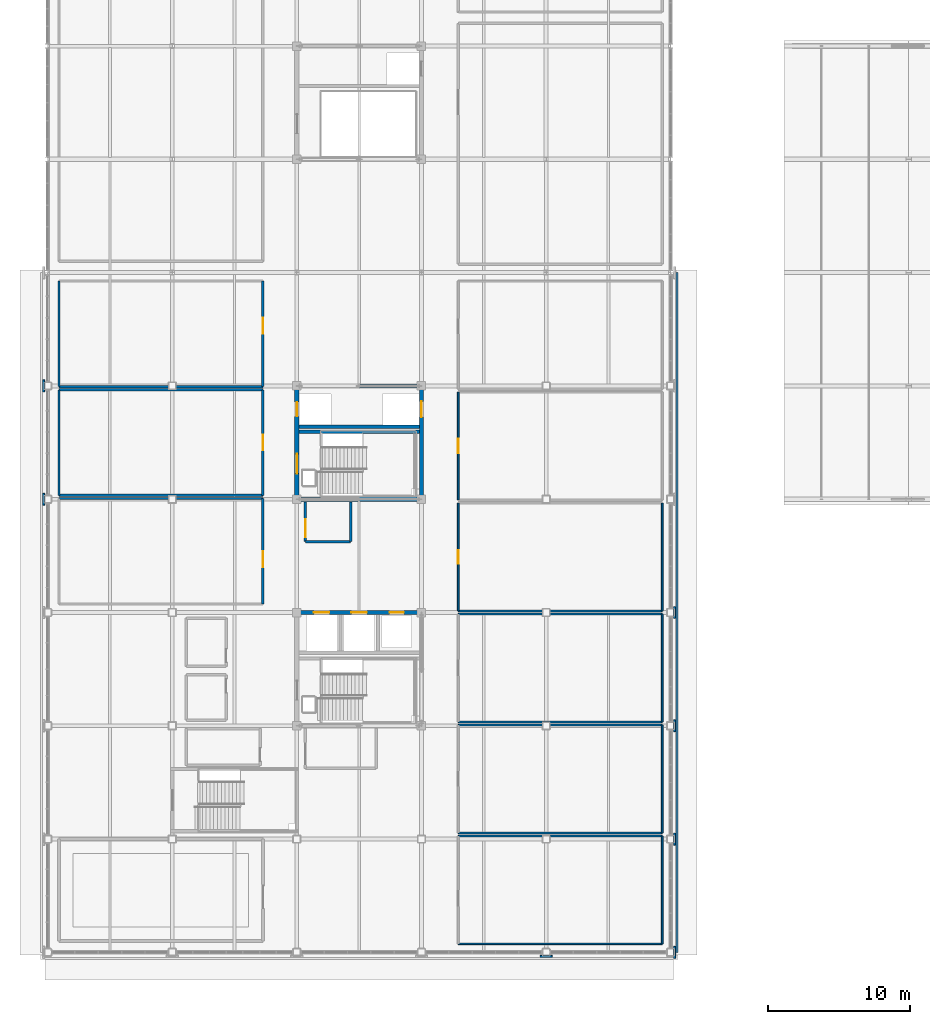
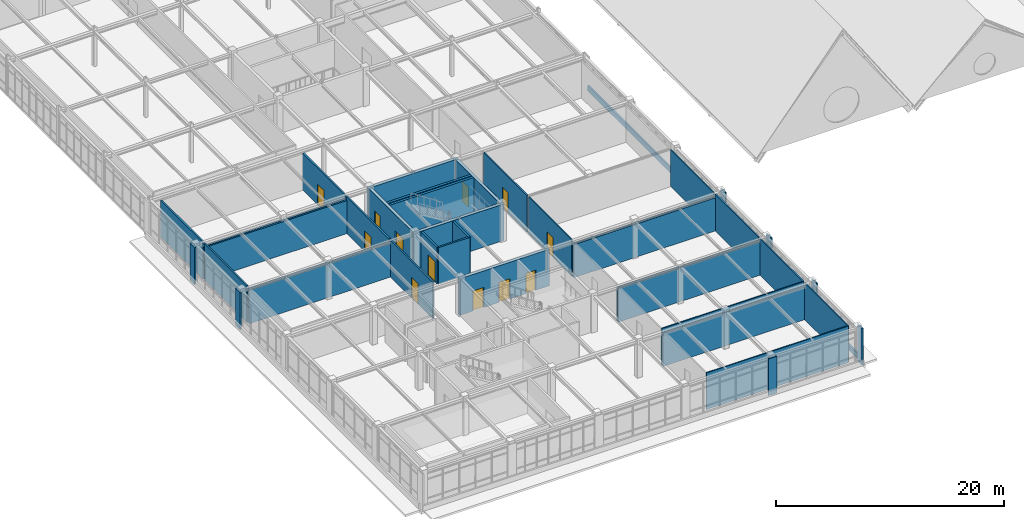
# One storey, part 54 of 64: 40 walls, 12 doors, 12 openings.
"""IFC4 building model written with IfcOpenShell, lengths in metres."""

from ifc_helpers import new_model, si_unit, direction, frame, frame_2d, origin, place, context, subcontext, project, spatial, rectangle, extrude, material, layer, layer_set, type_object, element, fill, save


model = new_model("IFC4")

# Units and contexts
model_context = context("Model", 3, precision=1e-05, world=origin(), true_north=direction((0.0, 1.0)))
body_context = subcontext(model_context, "Body", "Model", "MODEL_VIEW")
ifc_project = project(units=[si_unit("LENGTHUNIT", "METRE"), si_unit("AREAUNIT", "SQUARE_METRE"), si_unit("VOLUMEUNIT", "CUBIC_METRE"), si_unit("PLANEANGLEUNIT", "RADIAN"), si_unit("MASSUNIT", "GRAM", prefix="KILO")], contexts=[model_context])

# Site, building, storey
site_placement = place(None, origin())
site = spatial("IfcSite", under=ifc_project, at=site_placement, CompositionType="ELEMENT")
building_placement = place(site_placement, origin())
building = spatial("IfcBuilding", under=site, at=building_placement, Name="Zhaolan Boulevard Law Courts", CompositionType="ELEMENT")
storey_placement = place(building_placement, frame((0.0, 0.0, 20.39990234375)))
storey = spatial("IfcBuildingStorey", under=building, at=storey_placement, Name="L04", CompositionType="ELEMENT", Elevation=20.39990234375)

# Wall, openings, doors
ifc_material_1 = material(Name="Concrete C50", Category="concrete")
ifc_layer_1 = layer(ifc_material_1, 0.300048828125)
ifc_layer_set_1 = layer_set([ifc_layer_1])
wall_type_1 = type_object("IfcWallType", Name="CORE SHEAR WALL 300", PredefinedType="SHEAR", material=ifc_layer_set_1)
wall_1_placement = place(storey_placement, frame((26.550048828125, 54.0, 0.0), z_axis=(0.0, 0.0, 1.0), x_axis=(-1.0, 0.0, 0.0)))
wall_1 = element("IfcWall", 1, at=wall_1_placement, inside=storey, type_object=wall_type_1, Name="Core Shear Wall CW-W1-L04N", PredefinedType="SHEAR", context=body_context, shape_type="SweptSolid", body=[
    extrude(rectangle(XDim=9.10009765625, YDim=0.300048828125, at=frame_2d((4.550048828125, 0.0))), origin(), (0.0, 0.0, 1.0), 3.920166015625),
])
opening_1_placement = place(wall_1_placement, frame((6.64990234375, 0.0, 0.0)))
opening_1 = element("IfcOpeningElement", 2, at=opening_1_placement, cuts=wall_1, Name="Opening LD-FL-01-L04", PredefinedType="OPENING", context=body_context, shape_type="SweptSolid", body=[
    extrude(rectangle(XDim=1.10009765625, YDim=2.14990234375, at=frame_2d((0.550048828125, 1.074951171875))), frame((0.0, 0.159912109375, 0.0), z_axis=(0.0, -1.0, 0.0), x_axis=(1.0, 0.0, 0.0)), (0.0, 0.0, 1.0), 0.320068359375),
])
opening_2_placement = place(wall_1_placement, frame((4.0, 0.0, 0.0)))
opening_2 = element("IfcOpeningElement", 3, at=opening_2_placement, cuts=wall_1, Name="Opening LD-FL-02-L04", PredefinedType="OPENING", context=body_context, shape_type="SweptSolid", body=[
    extrude(rectangle(XDim=1.10009765625, YDim=2.14990234375, at=frame_2d((0.550048828125, 1.074951171875))), frame((0.0, 0.159912109375, 0.0), z_axis=(0.0, -1.0, 0.0), x_axis=(1.0, 0.0, 0.0)), (0.0, 0.0, 1.0), 0.320068359375),
])
opening_3_placement = place(wall_1_placement, frame((1.39990234375, 0.0, 0.0)))
opening_3 = element("IfcOpeningElement", 4, at=opening_3_placement, cuts=wall_1, Name="Opening LD-JL-01-L04", PredefinedType="OPENING", context=body_context, shape_type="SweptSolid", body=[
    extrude(rectangle(XDim=1.0, YDim=2.14990234375, at=frame_2d((0.5, 1.074951171875))), frame((0.0, 0.159912109375, 0.0), z_axis=(0.0, -1.0, 0.0), x_axis=(1.0, 0.0, 0.0)), (0.0, 0.0, 1.0), 0.320068359375),
])
ifc_material_2 = material(Name="Stainless steel sliding landing door", Category="steel")
door_type_1 = type_object("IfcDoorType", Name="LIFT LANDING 1000X2150", OperationType="DOUBLE_DOOR_SLIDING", PredefinedType="DOOR", material=ifc_material_2)
door_1_placement = place(opening_3_placement, origin())
door_1 = element("IfcDoor", 5, at=door_1_placement, inside=storey, type_object=door_type_1, Name="Lift Landing Sliding Door LD-JL-01-L04", OperationType="DOUBLE_DOOR_SLIDING", OverallHeight=2.14990234375, OverallWidth=1.0, PredefinedType="DOOR", context=body_context, shape_type="SweptSolid", body=[
    extrude(rectangle(XDim=1.0, YDim=2.14990234375, at=frame_2d((0.5, 1.074951171875))), frame((0.0, 0.02490234375, 0.0), z_axis=(0.0, -1.0, 0.0), x_axis=(1.0, 0.0, 0.0)), (0.0, 0.0, 1.0), 0.050048828125),
])
fill(opening_3, door_1)
ifc_material_3 = material(Name="Stainless steel sliding landing door", Category="steel")
door_type_2 = type_object("IfcDoorType", Name="LIFT LANDING 1100X2150", OperationType="DOUBLE_DOOR_SLIDING", PredefinedType="DOOR", material=ifc_material_3)
door_2_placement = place(opening_1_placement, origin())
door_2 = element("IfcDoor", 6, at=door_2_placement, inside=storey, type_object=door_type_2, Name="Lift Landing Sliding Door LD-FL-01-L04", OperationType="DOUBLE_DOOR_SLIDING", OverallHeight=2.14990234375, OverallWidth=1.10009765625, PredefinedType="DOOR", context=body_context, shape_type="SweptSolid", body=[
    extrude(rectangle(XDim=1.10009765625, YDim=2.14990234375, at=frame_2d((0.550048828125, 1.074951171875))), frame((0.0, 0.02490234375, 0.0), z_axis=(0.0, -1.0, 0.0), x_axis=(1.0, 0.0, 0.0)), (0.0, 0.0, 1.0), 0.050048828125),
])
fill(opening_1, door_2)
door_3_placement = place(opening_2_placement, origin())
door_3 = element("IfcDoor", 7, at=door_3_placement, inside=storey, type_object=door_type_2, Name="Lift Landing Sliding Door LD-FL-02-L04", OperationType="DOUBLE_DOOR_SLIDING", OverallHeight=2.14990234375, OverallWidth=1.10009765625, PredefinedType="DOOR", context=body_context, shape_type="SweptSolid", body=[
    extrude(rectangle(XDim=1.10009765625, YDim=2.14990234375, at=frame_2d((0.550048828125, 1.074951171875))), frame((0.0, 0.02490234375, 0.0), z_axis=(0.0, -1.0, 0.0), x_axis=(1.0, 0.0, 0.0)), (0.0, 0.0, 1.0), 0.050048828125),
])
fill(opening_2, door_3)

# Walls
for number, where, z_axis, x_axis, name in (
    (8, (17.449951171875, 62.0, 0.0), (0.0, 0.0, 1.0), (1.0, 0.0, 0.0), "Core Shear Wall CW-W2-L04S"),
    (9, (26.550048828125, 70.0, 0.0), (0.0, 0.0, 1.0), (-1.0, 0.0, 0.0), "Core Shear Wall CW-W2-L04N"),
):
    element("IfcWall", number, at=place(storey_placement, frame(where, z_axis=z_axis, x_axis=x_axis)), inside=storey, type_object=wall_type_1, Name=name, PredefinedType="SHEAR", context=body_context, shape_type="SweptSolid", body=[
        extrude(rectangle(XDim=9.10009765625, YDim=0.300048828125, at=frame_2d((4.550048828125, 0.0))), origin(), (0.0, 0.0, 1.0), 3.920166015625),
    ])

# Wall, openings, doors
wall_2_placement = place(storey_placement, frame((17.60009765625, 62.14990234375, 0.0), z_axis=(0.0, 0.0, 1.0), x_axis=(0.0, 1.0, 0.0)))
wall_2 = element("IfcWall", 10, at=wall_2_placement, inside=storey, type_object=wall_type_1, Name="Core Shear Wall CW-W2-L04W", PredefinedType="SHEAR", context=body_context, shape_type="SweptSolid", body=[
    extrude(rectangle(XDim=7.7001953125, YDim=0.300048828125, at=frame_2d((3.85009765625, 0.0))), origin(), (0.0, 0.0, 1.0), 3.920166015625),
])
opening_4_placement = place(wall_2_placement, frame((1.64990234375, 0.0, 0.0)))
opening_4 = element("IfcOpeningElement", 11, at=opening_4_placement, cuts=wall_2, Name="Opening SD-L04-17", PredefinedType="OPENING", context=body_context, shape_type="SweptSolid", body=[
    extrude(rectangle(XDim=1.39990234375, YDim=2.199951171875, at=frame_2d((0.699951171875, 1.10009765625))), frame((0.0, 0.159912109375, 0.0), z_axis=(0.0, -1.0, 0.0), x_axis=(1.0, 0.0, 0.0)), (0.0, 0.0, 1.0), 0.320068359375),
])
opening_5_placement = place(wall_2_placement, frame((5.699951171875, 0.0, 0.0)))
opening_5 = element("IfcOpeningElement", 12, at=opening_5_placement, cuts=wall_2, Name="Opening LD-JL-02-L04", PredefinedType="OPENING", context=body_context, shape_type="SweptSolid", body=[
    extrude(rectangle(XDim=1.0, YDim=2.14990234375, at=frame_2d((0.5, 1.074951171875))), frame((0.0, 0.159912109375, 0.0), z_axis=(0.0, -1.0, 0.0), x_axis=(1.0, 0.0, 0.0)), (0.0, 0.0, 1.0), 0.320068359375),
])
door_4_placement = place(opening_5_placement, origin())
door_4 = element("IfcDoor", 13, at=door_4_placement, inside=storey, type_object=door_type_1, Name="Lift Landing Sliding Door LD-JL-02-L04", OperationType="DOUBLE_DOOR_SLIDING", OverallHeight=2.14990234375, OverallWidth=1.0, PredefinedType="DOOR", context=body_context, shape_type="SweptSolid", body=[
    extrude(rectangle(XDim=1.0, YDim=2.14990234375, at=frame_2d((0.5, 1.074951171875))), frame((0.0, 0.02490234375, 0.0), z_axis=(0.0, -1.0, 0.0), x_axis=(1.0, 0.0, 0.0)), (0.0, 0.0, 1.0), 0.050048828125),
])
fill(opening_5, door_4)
ifc_material_4 = material(Name="Fire-rated steel acoustic door", Category="steel")
door_type_3 = type_object("IfcDoorType", Name="STAIR FIRE 1400X2200 L", OperationType="SINGLE_SWING_LEFT", PredefinedType="DOOR", material=ifc_material_4)
door_5_placement = place(opening_4_placement, origin())
door_5 = element("IfcDoor", 14, at=door_5_placement, inside=storey, type_object=door_type_3, Name="Smoke-Proof Stairwell Fire Door SD-L04-17", OperationType="SINGLE_SWING_LEFT", OverallHeight=2.199951171875, OverallWidth=1.39990234375, PredefinedType="DOOR", context=body_context, shape_type="SweptSolid", body=[
    extrude(rectangle(XDim=1.39990234375, YDim=2.199951171875, at=frame_2d((0.699951171875, 1.10009765625))), frame((0.0, 0.02490234375, 0.0), z_axis=(0.0, -1.0, 0.0), x_axis=(1.0, 0.0, 0.0)), (0.0, 0.0, 1.0), 0.050048828125),
])
fill(opening_4, door_5)

# Wall, opening, door
wall_3_placement = place(storey_placement, frame((26.39990234375, 62.14990234375, 0.0), z_axis=(0.0, 0.0, 1.0), x_axis=(0.0, 1.0, 0.0)))
wall_3 = element("IfcWall", 15, at=wall_3_placement, inside=storey, type_object=wall_type_1, Name="Core Shear Wall CW-W2-L04E", PredefinedType="SHEAR", context=body_context, shape_type="SweptSolid", body=[
    extrude(rectangle(XDim=7.7001953125, YDim=0.300048828125, at=frame_2d((3.85009765625, 0.0))), origin(), (0.0, 0.0, 1.0), 3.920166015625),
])
opening_6_placement = place(wall_3_placement, frame((5.64990234375, 0.0, 0.0)))
opening_6 = element("IfcOpeningElement", 16, at=opening_6_placement, cuts=wall_3, Name="Opening LD-FL-03-L04", PredefinedType="OPENING", context=body_context, shape_type="SweptSolid", body=[
    extrude(rectangle(XDim=1.10009765625, YDim=2.14990234375, at=frame_2d((0.550048828125, 1.074951171875))), frame((0.0, 0.159912109375, 0.0), z_axis=(0.0, -1.0, 0.0), x_axis=(1.0, 0.0, 0.0)), (0.0, 0.0, 1.0), 0.320068359375),
])
door_6_placement = place(opening_6_placement, origin())
door_6 = element("IfcDoor", 17, at=door_6_placement, inside=storey, type_object=door_type_2, Name="Lift Landing Sliding Door LD-FL-03-L04", OperationType="DOUBLE_DOOR_SLIDING", OverallHeight=2.14990234375, OverallWidth=1.10009765625, PredefinedType="DOOR", context=body_context, shape_type="SweptSolid", body=[
    extrude(rectangle(XDim=1.10009765625, YDim=2.14990234375, at=frame_2d((0.550048828125, 1.074951171875))), frame((0.0, 0.02490234375, 0.0), z_axis=(0.0, -1.0, 0.0), x_axis=(1.0, 0.0, 0.0)), (0.0, 0.0, 1.0), 0.050048828125),
])
fill(opening_6, door_6)

# Walls
ifc_material_5 = material(Name="Concrete C40", Category="concrete")
ifc_layer_2 = layer(ifc_material_5, 0.139892578125)
ifc_layer_set_2 = layer_set([ifc_layer_2])
wall_type_2 = type_object("IfcWallType", Name="EXT WALL ARCH CLAD140", PredefinedType="SOLIDWALL", material=ifc_layer_set_2)
for number, where, z_axis, x_axis, name in (
    (18, (44.280029296875, 29.580078125, 0.0), (0.0, 0.0, 1.0), (0.0, 1.0, 0.0), "Concrete Column Cloak Pier CPR-100"),
    (19, (44.280029296875, 37.580078125, 0.0), (0.0, 0.0, 1.0), (0.0, 1.0, 0.0), "Concrete Column Cloak Pier CPR-102"),
    (20, (44.280029296875, 45.580078125, 0.0), (0.0, 0.0, 1.0), (0.0, 1.0, 0.0), "Concrete Column Cloak Pier CPR-104"),
    (21, (44.280029296875, 53.580078125, 0.0), (0.0, 0.0, 1.0), (0.0, 1.0, 0.0), "Concrete Column Cloak Pier CPR-106"),
    (22, (-0.280029296875, 61.580078125, 0.0), (0.0, 0.0, 1.0), (0.0, 1.0, 0.0), "Concrete Column Cloak Pier CPR-107"),
    (23, (-0.280029296875, 69.580078125, 0.0), (0.0, 0.0, 1.0), (0.0, 1.0, 0.0), "Concrete Column Cloak Pier CPR-109"),
):
    element("IfcWall", number, at=place(storey_placement, frame(where, z_axis=z_axis, x_axis=x_axis)), inside=storey, type_object=wall_type_2, Name=name, PredefinedType="SOLIDWALL", context=body_context, shape_type="SweptSolid", body=[
        extrude(rectangle(XDim=0.83984375, YDim=0.139892578125, at=frame_2d((0.419921875, 0.0))), origin(), (0.0, 0.0, 1.0), 3.940185546875),
    ])
wall_4_placement = place(storey_placement, frame((34.780029296875, 29.719970703125, 0.0), z_axis=(0.0, 0.0, 1.0), x_axis=(1.0, 0.0, 0.0)))
element("IfcWall", 24, at=wall_4_placement, inside=storey, type_object=wall_type_2, Name="Concrete Column Cloak Pier CPR-116", PredefinedType="SOLIDWALL", context=body_context, shape_type="SweptSolid", body=[
    extrude(rectangle(XDim=0.840087890625, YDim=0.139892578125, at=frame_2d((0.419921875, 0.0))), origin(), (0.0, 0.0, 1.0), 3.940185546875),
])
ifc_material_6 = material(Name="Concrete C40", Category="concrete")
ifc_layer_3 = layer(ifc_material_6, 0.159912109375)
ifc_layer_set_3 = layer_set([ifc_layer_3])
wall_type_3 = type_object("IfcWallType", Name="EXT WALL ARCH CLAD160", PredefinedType="SOLIDWALL", material=ifc_layer_set_3)
wall_5_placement = place(storey_placement, frame((44.43994140625, 30.0, 0.0), z_axis=(0.0, 0.0, 1.0), x_axis=(0.0, 1.0, 0.0)))
element("IfcWall", 25, at=wall_5_placement, inside=storey, type_object=wall_type_3, Name="Sculpted Concrete Spandrel Band CBW-097", PredefinedType="SOLIDWALL", context=body_context, shape_type="SweptSolid", body=[
    extrude(rectangle(XDim=48.0, YDim=0.159912109375, at=frame_2d((24.0, 0.0))), origin(), (0.0, 0.0, 1.0), 0.580078125),
])
ifc_material_7 = material(Name="Concrete C50", Category="concrete")
ifc_layer_4 = layer(ifc_material_7, 0.239990234375)
ifc_layer_set_4 = layer_set([ifc_layer_4])
wall_type_4 = type_object("IfcWallType", Name="LIFT SHAFT WALL 240", PredefinedType="SHEAR", material=ifc_layer_set_4)
wall_6_placement = place(storey_placement, frame((17.75, 67.1298828125, 0.0), z_axis=(0.0, 0.0, 1.0), x_axis=(1.0, 0.0, 0.0)))
element("IfcWall", 26, at=wall_6_placement, inside=storey, type_object=wall_type_4, Name="Lift Shaft Enclosure Wall W2 (L04)", PredefinedType="SHEAR", context=body_context, shape_type="SweptSolid", body=[
    extrude(rectangle(XDim=8.5, YDim=0.239990234375, at=frame_2d((4.25, 0.0))), origin(), (0.0, 0.0, 1.0), 3.920166015625),
])
ifc_material_8 = material(Name="Acoustic gypsum and mineral-wool stud")
ifc_layer_5 = layer(ifc_material_8, 0.18994140625)
ifc_layer_set_5 = layer_set([ifc_layer_5])
wall_type_5 = type_object("IfcWallType", Name="PART WALL ACOUST190", PredefinedType="PARTITIONING", material=ifc_layer_set_5)
wall_7_placement = place(storey_placement, frame((18.199951171875, 59.0, 0.0), z_axis=(0.0, 0.0, 1.0), x_axis=(1.0, 0.0, 0.0)))
element("IfcWall", 27, at=wall_7_placement, inside=storey, type_object=wall_type_5, Name="Interior Partition PW-L04-034", PredefinedType="PARTITIONING", context=body_context, shape_type="SweptSolid", body=[
    extrude(rectangle(XDim=3.199951171875, YDim=0.18994140625, at=frame_2d((1.60009765625, 0.0))), origin(), (0.0, 0.0, 1.0), 3.920166015625),
])

# Wall, opening, door
wall_8_placement = place(storey_placement, frame((18.199951171875, 61.800048828125, 0.0), z_axis=(0.0, 0.0, 1.0), x_axis=(0.0, -1.0, 0.0)))
wall_8 = element("IfcWall", 28, at=wall_8_placement, inside=storey, type_object=wall_type_5, Name="Interior Partition PW-L04-035", PredefinedType="PARTITIONING", context=body_context, shape_type="SweptSolid", body=[
    extrude(rectangle(XDim=2.800048828125, YDim=0.18994140625, at=frame_2d((1.39990234375, 0.0))), origin(), (0.0, 0.0, 1.0), 3.920166015625),
])
opening_7_placement = place(wall_8_placement, frame((1.199951171875, 0.0, 0.0)))
opening_7 = element("IfcOpeningElement", 29, at=opening_7_placement, cuts=wall_8, Name="Opening FD-L04-012", PredefinedType="OPENING", context=body_context, shape_type="SweptSolid", body=[
    extrude(rectangle(XDim=1.300048828125, YDim=2.199951171875, at=frame_2d((0.64990234375, 1.10009765625))), frame((0.0, 0.10498046875, 0.0), z_axis=(0.0, -1.0, 0.0), x_axis=(1.0, 0.0, 0.0)), (0.0, 0.0, 1.0), 0.2099609375),
])
ifc_material_9 = material(Name="Fire-rated steel acoustic door", Category="steel")
door_type_4 = type_object("IfcDoorType", Name="LOBBY FIRE 1300X2200 R", OperationType="SINGLE_SWING_RIGHT", PredefinedType="DOOR", material=ifc_material_9)
door_7_placement = place(opening_7_placement, origin())
door_7 = element("IfcDoor", 30, at=door_7_placement, inside=storey, type_object=door_type_4, Name="Door FD-L04-012 (Lobby Firefighting Lift L04-W2)", OperationType="SINGLE_SWING_RIGHT", OverallHeight=2.199951171875, OverallWidth=1.300048828125, PredefinedType="DOOR", context=body_context, shape_type="SweptSolid", body=[
    extrude(rectangle(XDim=1.300048828125, YDim=2.199951171875, at=frame_2d((0.64990234375, 1.10009765625))), frame((0.0, 0.02490234375, 0.0), z_axis=(0.0, -1.0, 0.0), x_axis=(1.0, 0.0, 0.0)), (0.0, 0.0, 1.0), 0.050048828125),
])
fill(opening_7, door_7)

# Walls
wall_9_placement = place(storey_placement, frame((21.39990234375, 59.0, 0.0), z_axis=(0.0, 0.0, 1.0), x_axis=(0.0, 1.0, 0.0)))
element("IfcWall", 31, at=wall_9_placement, inside=storey, type_object=wall_type_5, Name="Interior Partition PW-L04-036", PredefinedType="PARTITIONING", context=body_context, shape_type="SweptSolid", body=[
    extrude(rectangle(XDim=2.800048828125, YDim=0.18994140625, at=frame_2d((1.39990234375, 0.0))), origin(), (0.0, 0.0, 1.0), 3.920166015625),
])
ifc_material_10 = material(Name="Fire-rated gypsum stud partition")
ifc_layer_6 = layer(ifc_material_10, 0.159912109375)
ifc_layer_set_6 = layer_set([ifc_layer_6])
wall_type_6 = type_object("IfcWallType", Name="PART WALL CHAMB160", PredefinedType="PARTITIONING", material=ifc_layer_set_6)
wall_10_placement = place(storey_placement, frame((15.199951171875, 62.052978515625, 0.0), z_axis=(0.0, 0.0, 1.0), x_axis=(-1.0, 0.0, 0.0)))
element("IfcWall", 32, at=wall_10_placement, inside=storey, type_object=wall_type_6, Name="Interior Partition PW-L04-595", PredefinedType="PARTITIONING", context=body_context, shape_type="SweptSolid", body=[
    extrude(rectangle(XDim=14.39990234375, YDim=0.159912109375, at=frame_2d((7.199951171875, 0.0))), origin(), (0.0, 0.0, 1.0), 3.59619140625),
])

# Wall, opening, door
wall_11_placement = place(storey_placement, frame((15.199951171875, 54.60009765625, 0.0), z_axis=(0.0, 0.0, 1.0), x_axis=(0.0, 1.0, 0.0)))
wall_11 = element("IfcWall", 33, at=wall_11_placement, inside=storey, type_object=wall_type_6, Name="Interior Partition PW-L04-597", PredefinedType="PARTITIONING", context=body_context, shape_type="SweptSolid", body=[
    extrude(rectangle(XDim=7.452880859375, YDim=0.159912109375, at=frame_2d((3.7265625, 0.0))), origin(), (0.0, 0.0, 1.0), 3.920166015625),
])
opening_8_placement = place(wall_11_placement, frame((2.5810546875, 0.0, 0.0)))
opening_8 = element("IfcOpeningElement", 34, at=opening_8_placement, cuts=wall_11, Name="Opening JR-L04-185", PredefinedType="OPENING", context=body_context, shape_type="SweptSolid", body=[
    extrude(rectangle(XDim=1.14990234375, YDim=2.199951171875, at=frame_2d((0.574951171875, 1.10009765625))), frame((0.0, 0.08984375, 0.0), z_axis=(0.0, -1.0, 0.0), x_axis=(1.0, 0.0, 0.0)), (0.0, 0.0, 1.0), 0.179931640625),
])
ifc_material_11 = material(Name="Solid-core acoustic oak veneer door")
door_type_5 = type_object("IfcDoorType", Name="JURY DOOR 1150X2200 L", OperationType="SINGLE_SWING_LEFT", PredefinedType="DOOR", material=ifc_material_11)
door_8_placement = place(opening_8_placement, origin())
door_8 = element("IfcDoor", 35, at=door_8_placement, inside=storey, type_object=door_type_5, Name="Door JR-L04-185 (Jury Room L04-01)", OperationType="SINGLE_SWING_LEFT", OverallHeight=2.199951171875, OverallWidth=1.14990234375, PredefinedType="DOOR", context=body_context, shape_type="SweptSolid", body=[
    extrude(rectangle(XDim=1.14990234375, YDim=2.199951171875, at=frame_2d((0.574951171875, 1.10009765625))), frame((0.0, 0.02490234375, 0.0), z_axis=(0.0, -1.0, 0.0), x_axis=(1.0, 0.0, 0.0)), (0.0, 0.0, 1.0), 0.050048828125),
])
fill(opening_8, door_8)

# Walls
wall_12_placement = place(storey_placement, frame((0.800048828125, 62.27294921875, 0.0), z_axis=(0.0, 0.0, 1.0), x_axis=(1.0, 0.0, 0.0)))
element("IfcWall", 36, at=wall_12_placement, inside=storey, type_object=wall_type_6, Name="Interior Partition PW-L04-598", PredefinedType="PARTITIONING", context=body_context, shape_type="SweptSolid", body=[
    extrude(rectangle(XDim=14.39990234375, YDim=0.159912109375, at=frame_2d((7.199951171875, 0.0))), origin(), (0.0, 0.0, 1.0), 3.59619140625),
])
wall_13_placement = place(storey_placement, frame((15.199951171875, 69.72705078125, 0.0), z_axis=(0.0, 0.0, 1.0), x_axis=(-1.0, 0.0, 0.0)))
element("IfcWall", 37, at=wall_13_placement, inside=storey, type_object=wall_type_6, Name="Interior Partition PW-L04-599", PredefinedType="PARTITIONING", context=body_context, shape_type="SweptSolid", body=[
    extrude(rectangle(XDim=14.39990234375, YDim=0.159912109375, at=frame_2d((7.199951171875, 0.0))), origin(), (0.0, 0.0, 1.0), 3.546142578125),
])
wall_14_placement = place(storey_placement, frame((0.800048828125, 69.72705078125, 0.0), z_axis=(0.0, 0.0, 1.0), x_axis=(0.0, -1.0, 0.0)))
element("IfcWall", 38, at=wall_14_placement, inside=storey, type_object=wall_type_6, Name="Interior Partition PW-L04-600", PredefinedType="PARTITIONING", context=body_context, shape_type="SweptSolid", body=[
    extrude(rectangle(XDim=7.4541015625, YDim=0.159912109375, at=frame_2d((3.72705078125, 0.0))), origin(), (0.0, 0.0, 1.0), 3.920166015625),
])

# Wall, opening, door
wall_15_placement = place(storey_placement, frame((15.199951171875, 62.27294921875, 0.0), z_axis=(0.0, 0.0, 1.0), x_axis=(0.0, 1.0, 0.0)))
wall_15 = element("IfcWall", 39, at=wall_15_placement, inside=storey, type_object=wall_type_6, Name="Interior Partition PW-L04-601", PredefinedType="PARTITIONING", context=body_context, shape_type="SweptSolid", body=[
    extrude(rectangle(XDim=7.4541015625, YDim=0.159912109375, at=frame_2d((3.72705078125, 0.0))), origin(), (0.0, 0.0, 1.0), 3.920166015625),
])
opening_9_placement = place(wall_15_placement, frame((3.1669921875, 0.0, 0.0)))
opening_9 = element("IfcOpeningElement", 40, at=opening_9_placement, cuts=wall_15, Name="Opening JR-L04-186", PredefinedType="OPENING", context=body_context, shape_type="SweptSolid", body=[
    extrude(rectangle(XDim=1.1201171875, YDim=2.199951171875, at=frame_2d((0.56005859375, 1.10009765625))), frame((0.0, 0.08984375, 0.0), z_axis=(0.0, -1.0, 0.0), x_axis=(1.0, 0.0, 0.0)), (0.0, 0.0, 1.0), 0.179931640625),
])
ifc_material_12 = material(Name="Solid-core acoustic oak veneer door")
door_type_6 = type_object("IfcDoorType", Name="JURY DOOR 1120X2200 R", OperationType="SINGLE_SWING_RIGHT", PredefinedType="DOOR", material=ifc_material_12)
door_9_placement = place(opening_9_placement, origin())
door_9 = element("IfcDoor", 41, at=door_9_placement, inside=storey, type_object=door_type_6, Name="Door JR-L04-186 (Jury Room L04-02)", OperationType="SINGLE_SWING_RIGHT", OverallHeight=2.199951171875, OverallWidth=1.1201171875, PredefinedType="DOOR", context=body_context, shape_type="SweptSolid", body=[
    extrude(rectangle(XDim=1.1201171875, YDim=2.199951171875, at=frame_2d((0.56005859375, 1.10009765625))), frame((0.0, 0.02490234375, 0.0), z_axis=(0.0, -1.0, 0.0), x_axis=(1.0, 0.0, 0.0)), (0.0, 0.0, 1.0), 0.050048828125),
])
fill(opening_9, door_9)

# Walls
wall_16_placement = place(storey_placement, frame((0.800048828125, 69.947021484375, 0.0), z_axis=(0.0, 0.0, 1.0), x_axis=(1.0, 0.0, 0.0)))
element("IfcWall", 42, at=wall_16_placement, inside=storey, type_object=wall_type_6, Name="Interior Partition PW-L04-602", PredefinedType="PARTITIONING", context=body_context, shape_type="SweptSolid", body=[
    extrude(rectangle(XDim=14.39990234375, YDim=0.159912109375, at=frame_2d((7.199951171875, 0.0))), origin(), (0.0, 0.0, 1.0), 3.546142578125),
])
wall_17_placement = place(storey_placement, frame((0.800048828125, 77.39990234375, 0.0), z_axis=(0.0, 0.0, 1.0), x_axis=(0.0, -1.0, 0.0)))
element("IfcWall", 43, at=wall_17_placement, inside=storey, type_object=wall_type_6, Name="Interior Partition PW-L04-604", PredefinedType="PARTITIONING", context=body_context, shape_type="SweptSolid", body=[
    extrude(rectangle(XDim=7.452880859375, YDim=0.159912109375, at=frame_2d((3.7265625, 0.0))), origin(), (0.0, 0.0, 1.0), 3.920166015625),
])

# Wall, opening, door
wall_18_placement = place(storey_placement, frame((15.199951171875, 69.947021484375, 0.0), z_axis=(0.0, 0.0, 1.0), x_axis=(0.0, 1.0, 0.0)))
wall_18 = element("IfcWall", 44, at=wall_18_placement, inside=storey, type_object=wall_type_6, Name="Interior Partition PW-L04-605", PredefinedType="PARTITIONING", context=body_context, shape_type="SweptSolid", body=[
    extrude(rectangle(XDim=7.452880859375, YDim=0.159912109375, at=frame_2d((3.7265625, 0.0))), origin(), (0.0, 0.0, 1.0), 3.920166015625),
])
opening_10_placement = place(wall_18_placement, frame((3.721923828125, 0.0, 0.0)))
opening_10 = element("IfcOpeningElement", 45, at=opening_10_placement, cuts=wall_18, Name="Opening JR-L04-187", PredefinedType="OPENING", context=body_context, shape_type="SweptSolid", body=[
    extrude(rectangle(XDim=1.14990234375, YDim=2.199951171875, at=frame_2d((0.574951171875, 1.10009765625))), frame((0.0, 0.08984375, 0.0), z_axis=(0.0, -1.0, 0.0), x_axis=(1.0, 0.0, 0.0)), (0.0, 0.0, 1.0), 0.179931640625),
])
door_10_placement = place(opening_10_placement, origin())
door_10 = element("IfcDoor", 46, at=door_10_placement, inside=storey, type_object=door_type_5, Name="Door JR-L04-187 (Jury Room L04-03)", OperationType="SINGLE_SWING_LEFT", OverallHeight=2.199951171875, OverallWidth=1.14990234375, PredefinedType="DOOR", context=body_context, shape_type="SweptSolid", body=[
    extrude(rectangle(XDim=1.14990234375, YDim=2.199951171875, at=frame_2d((0.574951171875, 1.10009765625))), frame((0.0, 0.02490234375, 0.0), z_axis=(0.0, -1.0, 0.0), x_axis=(1.0, 0.0, 0.0)), (0.0, 0.0, 1.0), 0.050048828125),
])
fill(opening_10, door_10)

# Walls
ifc_material_13 = material(Name="Gypsum board stud partition")
ifc_layer_7 = layer(ifc_material_13, 0.1201171875)
ifc_layer_set_7 = layer_set([ifc_layer_7])
wall_type_7 = type_object("IfcWallType", Name="PART WALL LIGHT120", PredefinedType="PARTITIONING", material=ifc_layer_set_7)
wall_19_placement = place(storey_placement, frame((29.0, 30.60009765625, 0.0), z_axis=(0.0, 0.0, 1.0), x_axis=(1.0, 0.0, 0.0)))
element("IfcWall", 47, at=wall_19_placement, inside=storey, type_object=wall_type_7, Name="Interior Partition PW-L04-606", PredefinedType="PARTITIONING", context=body_context, shape_type="SweptSolid", body=[
    extrude(rectangle(XDim=14.39990234375, YDim=0.1201171875, at=frame_2d((7.199951171875, 0.0))), origin(), (0.0, 0.0, 1.0), 3.920166015625),
])
wall_20_placement = place(storey_placement, frame((43.39990234375, 38.217041015625, 0.0), z_axis=(0.0, 0.0, 1.0), x_axis=(-1.0, 0.0, 0.0)))
element("IfcWall", 48, at=wall_20_placement, inside=storey, type_object=wall_type_7, Name="Interior Partition PW-L04-607", PredefinedType="PARTITIONING", context=body_context, shape_type="SweptSolid", body=[
    extrude(rectangle(XDim=14.39990234375, YDim=0.1201171875, at=frame_2d((7.199951171875, 0.0))), origin(), (0.0, 0.0, 1.0), 3.546142578125),
])
wall_21_placement = place(storey_placement, frame((43.39990234375, 30.60009765625, 0.0), z_axis=(0.0, 0.0, 1.0), x_axis=(0.0, 1.0, 0.0)))
element("IfcWall", 49, at=wall_21_placement, inside=storey, type_object=wall_type_7, Name="Interior Partition PW-L04-609", PredefinedType="PARTITIONING", context=body_context, shape_type="SweptSolid", body=[
    extrude(rectangle(XDim=7.616943359375, YDim=0.1201171875, at=frame_2d((3.80859375, 0.0))), origin(), (0.0, 0.0, 1.0), 3.920166015625),
])
wall_22_placement = place(storey_placement, frame((29.0, 38.43701171875, 0.0), z_axis=(0.0, 0.0, 1.0), x_axis=(1.0, 0.0, 0.0)))
element("IfcWall", 50, at=wall_22_placement, inside=storey, type_object=wall_type_7, Name="Interior Partition PW-L04-610", PredefinedType="PARTITIONING", context=body_context, shape_type="SweptSolid", body=[
    extrude(rectangle(XDim=14.39990234375, YDim=0.1201171875, at=frame_2d((7.199951171875, 0.0))), origin(), (0.0, 0.0, 1.0), 3.920166015625),
])
wall_23_placement = place(storey_placement, frame((43.39990234375, 46.052978515625, 0.0), z_axis=(0.0, 0.0, 1.0), x_axis=(-1.0, 0.0, 0.0)))
element("IfcWall", 51, at=wall_23_placement, inside=storey, type_object=wall_type_7, Name="Interior Partition PW-L04-611", PredefinedType="PARTITIONING", context=body_context, shape_type="SweptSolid", body=[
    extrude(rectangle(XDim=14.39990234375, YDim=0.1201171875, at=frame_2d((7.199951171875, 0.0))), origin(), (0.0, 0.0, 1.0), 3.59619140625),
])
wall_24_placement = place(storey_placement, frame((43.39990234375, 38.43701171875, 0.0), z_axis=(0.0, 0.0, 1.0), x_axis=(0.0, 1.0, 0.0)))
element("IfcWall", 52, at=wall_24_placement, inside=storey, type_object=wall_type_7, Name="Interior Partition PW-L04-613", PredefinedType="PARTITIONING", context=body_context, shape_type="SweptSolid", body=[
    extrude(rectangle(XDim=7.615966796875, YDim=0.1201171875, at=frame_2d((3.80810546875, 0.0))), origin(), (0.0, 0.0, 1.0), 3.920166015625),
])
wall_25_placement = place(storey_placement, frame((29.0, 46.27294921875, 0.0), z_axis=(0.0, 0.0, 1.0), x_axis=(1.0, 0.0, 0.0)))
element("IfcWall", 53, at=wall_25_placement, inside=storey, type_object=wall_type_7, Name="Interior Partition PW-L04-614", PredefinedType="PARTITIONING", context=body_context, shape_type="SweptSolid", body=[
    extrude(rectangle(XDim=14.39990234375, YDim=0.1201171875, at=frame_2d((7.199951171875, 0.0))), origin(), (0.0, 0.0, 1.0), 3.59619140625),
])
wall_26_placement = place(storey_placement, frame((43.39990234375, 53.889892578125, 0.0), z_axis=(0.0, 0.0, 1.0), x_axis=(-1.0, 0.0, 0.0)))
element("IfcWall", 54, at=wall_26_placement, inside=storey, type_object=wall_type_7, Name="Interior Partition PW-L04-615", PredefinedType="PARTITIONING", context=body_context, shape_type="SweptSolid", body=[
    extrude(rectangle(XDim=14.39990234375, YDim=0.1201171875, at=frame_2d((7.199951171875, 0.0))), origin(), (0.0, 0.0, 1.0), 3.546142578125),
])
wall_27_placement = place(storey_placement, frame((43.39990234375, 46.27294921875, 0.0), z_axis=(0.0, 0.0, 1.0), x_axis=(0.0, 1.0, 0.0)))
element("IfcWall", 55, at=wall_27_placement, inside=storey, type_object=wall_type_7, Name="Interior Partition PW-L04-617", PredefinedType="PARTITIONING", context=body_context, shape_type="SweptSolid", body=[
    extrude(rectangle(XDim=7.616943359375, YDim=0.1201171875, at=frame_2d((3.80859375, 0.0))), origin(), (0.0, 0.0, 1.0), 3.920166015625),
])
wall_28_placement = place(storey_placement, frame((29.0, 54.110107421875, 0.0), z_axis=(0.0, 0.0, 1.0), x_axis=(1.0, 0.0, 0.0)))
element("IfcWall", 56, at=wall_28_placement, inside=storey, type_object=wall_type_7, Name="Interior Partition PW-L04-618", PredefinedType="PARTITIONING", context=body_context, shape_type="SweptSolid", body=[
    extrude(rectangle(XDim=14.39990234375, YDim=0.1201171875, at=frame_2d((7.199951171875, 0.0))), origin(), (0.0, 0.0, 1.0), 3.546142578125),
])

# Wall, opening, door
wall_29_placement = place(storey_placement, frame((29.0, 61.72705078125, 0.0), z_axis=(0.0, 0.0, 1.0), x_axis=(0.0, -1.0, 0.0)))
wall_29 = element("IfcWall", 57, at=wall_29_placement, inside=storey, type_object=wall_type_7, Name="Interior Partition PW-L04-620", PredefinedType="PARTITIONING", context=body_context, shape_type="SweptSolid", body=[
    extrude(rectangle(XDim=7.616943359375, YDim=0.1201171875, at=frame_2d((3.80859375, 0.0))), origin(), (0.0, 0.0, 1.0), 3.920166015625),
])
opening_11_placement = place(wall_29_placement, frame((3.318115234375, 0.0, 0.0)))
opening_11 = element("IfcOpeningElement", 58, at=opening_11_placement, cuts=wall_29, Name="Opening JD-L04-191", PredefinedType="OPENING", context=body_context, shape_type="SweptSolid", body=[
    extrude(rectangle(XDim=0.97998046875, YDim=2.14990234375, at=frame_2d((0.489990234375, 1.074951171875))), frame((0.0, 0.070068359375, 0.0), z_axis=(0.0, -1.0, 0.0), x_axis=(1.0, 0.0, 0.0)), (0.0, 0.0, 1.0), 0.14013671875),
])
ifc_material_14 = material(Name="Solid-core acoustic oak veneer door")
door_type_7 = type_object("IfcDoorType", Name="CHAMBER DOOR 980X2150 R", OperationType="SINGLE_SWING_RIGHT", PredefinedType="DOOR", material=ifc_material_14)
door_11_placement = place(opening_11_placement, origin())
door_11 = element("IfcDoor", 59, at=door_11_placement, inside=storey, type_object=door_type_7, Name="Door JD-L04-191 (Judges' Chambers L04-04)", OperationType="SINGLE_SWING_RIGHT", OverallHeight=2.14990234375, OverallWidth=0.97998046875, PredefinedType="DOOR", context=body_context, shape_type="SweptSolid", body=[
    extrude(rectangle(XDim=0.97998046875, YDim=2.14990234375, at=frame_2d((0.489990234375, 1.074951171875))), frame((0.0, 0.02490234375, 0.0), z_axis=(0.0, -1.0, 0.0), x_axis=(1.0, 0.0, 0.0)), (0.0, 0.0, 1.0), 0.050048828125),
])
fill(opening_11, door_11)

# Wall
wall_30_placement = place(storey_placement, frame((43.39990234375, 54.110107421875, 0.0), z_axis=(0.0, 0.0, 1.0), x_axis=(0.0, 1.0, 0.0)))
element("IfcWall", 60, at=wall_30_placement, inside=storey, type_object=wall_type_7, Name="Interior Partition PW-L04-621", PredefinedType="PARTITIONING", context=body_context, shape_type="SweptSolid", body=[
    extrude(rectangle(XDim=7.616943359375, YDim=0.1201171875, at=frame_2d((3.80859375, 0.0))), origin(), (0.0, 0.0, 1.0), 3.920166015625),
])

# Wall, opening, door
wall_31_placement = place(storey_placement, frame((29.0, 69.56298828125, 0.0), z_axis=(0.0, 0.0, 1.0), x_axis=(0.0, -1.0, 0.0)))
wall_31 = element("IfcWall", 61, at=wall_31_placement, inside=storey, type_object=wall_type_7, Name="Interior Partition PW-L04-624", PredefinedType="PARTITIONING", context=body_context, shape_type="SweptSolid", body=[
    extrude(rectangle(XDim=7.615966796875, YDim=0.1201171875, at=frame_2d((3.80810546875, 0.0))), origin(), (0.0, 0.0, 1.0), 3.920166015625),
])
opening_12_placement = place(wall_31_placement, frame((3.30810546875, 0.0, 0.0)))
opening_12 = element("IfcOpeningElement", 62, at=opening_12_placement, cuts=wall_31, Name="Opening JD-L04-192", PredefinedType="OPENING", context=body_context, shape_type="SweptSolid", body=[
    extrude(rectangle(XDim=1.0, YDim=2.199951171875, at=frame_2d((0.5, 1.10009765625))), frame((0.0, 0.070068359375, 0.0), z_axis=(0.0, -1.0, 0.0), x_axis=(1.0, 0.0, 0.0)), (0.0, 0.0, 1.0), 0.14013671875),
])
ifc_material_15 = material(Name="Solid-core acoustic oak veneer door")
door_type_8 = type_object("IfcDoorType", Name="CHAMBER DOOR 1000X2200 L", OperationType="SINGLE_SWING_LEFT", PredefinedType="DOOR", material=ifc_material_15)
door_12_placement = place(opening_12_placement, origin())
door_12 = element("IfcDoor", 63, at=door_12_placement, inside=storey, type_object=door_type_8, Name="Door JD-L04-192 (Judges' Chambers L04-05)", OperationType="SINGLE_SWING_LEFT", OverallHeight=2.199951171875, OverallWidth=1.0, PredefinedType="DOOR", context=body_context, shape_type="SweptSolid", body=[
    extrude(rectangle(XDim=1.0, YDim=2.199951171875, at=frame_2d((0.5, 1.10009765625))), frame((0.0, 0.02490234375, 0.0), z_axis=(0.0, -1.0, 0.0), x_axis=(1.0, 0.0, 0.0)), (0.0, 0.0, 1.0), 0.050048828125),
])
fill(opening_12, door_12)

# Wall
ifc_material_16 = material(Name="Concrete C50", Category="concrete")
ifc_layer_8 = layer(ifc_material_16, 0.239990234375)
ifc_layer_set_8 = layer_set([ifc_layer_8])
wall_type_8 = type_object("IfcWallType", Name="STAIR WELL WALL 240", PredefinedType="SHEAR", material=ifc_layer_set_8)
wall_32_placement = place(storey_placement, frame((17.75, 66.75, 0.0), z_axis=(0.0, 0.0, 1.0), x_axis=(1.0, 0.0, 0.0)))
element("IfcWall", 64, at=wall_32_placement, inside=storey, type_object=wall_type_8, Name="Stairwell Divider Shear Wall ST02-L04N", PredefinedType="SHEAR", context=body_context, shape_type="SweptSolid", body=[
    extrude(rectangle(XDim=8.5, YDim=0.239990234375, at=frame_2d((4.25, 0.0))), origin(), (0.0, 0.0, 1.0), 3.9501953125),
])

save(model, "model.ifc")
